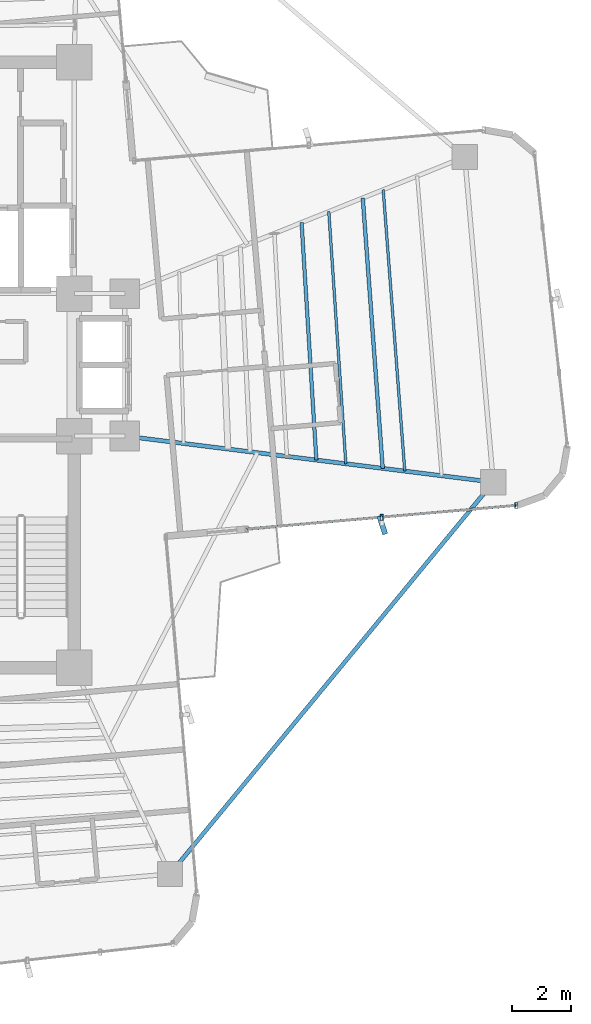
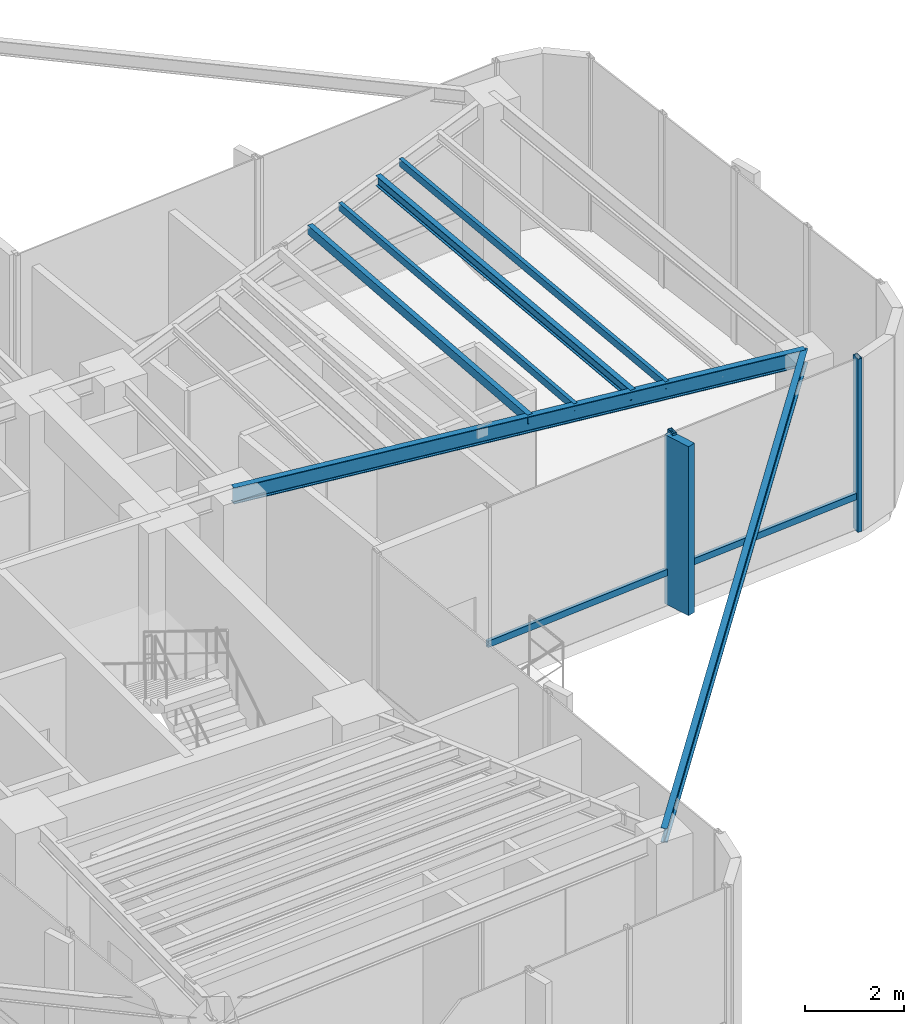
# One storey, part 8 of 19: 6 beams, 5 members, 1 element without a shape of its own.
"""IFC4 building model written with IfcOpenShell, lengths in metres."""

import ifcopenshell
import ifcopenshell.guid

model = None  # the IFC model being written
_history = None  # IfcOwnerHistory: only IFC2X3 demands one
_inside = {}  # id of a spatial element -> (the spatial element, [elements in it])
_under = {}  # id of a project, library or spatial element -> (it, [spatial elements below it])
_declared = {}  # id of a project -> (the project, [libraries it declares])
_typed = {}  # id of a type object -> (the type object, [elements of that type])
_made_of = {}  # id of a material, layer set ... -> (it, [elements and type objects made of it])


def new_model(schema):
    """Start an empty IFC model of exactly this schema.

    Asked for "IFC4X3", IfcOpenShell would pick the latest addendum, in which some entities
    have other attributes; the version numbers below select the first issue.
    IFC2X3 requires an IfcOwnerHistory on every rooted entity: one is made here for all.
    """
    global model, _history
    if schema == "IFC4X3":
        model = ifcopenshell.file(schema_version=(4, 3, 0, 0))
    else:
        model = ifcopenshell.file(schema=schema)
    _inside.clear()
    _under.clear()
    _declared.clear()
    _typed.clear()
    _made_of.clear()
    _history = None
    if model.schema == "IFC2X3":
        org = make("IfcOrganization", Name="unknown")
        user = make(
            "IfcPersonAndOrganization",
            ThePerson=make("IfcPerson", FamilyName="unknown"),
            TheOrganization=org,
        )
        app = make(
            "IfcApplication",
            ApplicationDeveloper=org,
            Version="unknown",
            ApplicationFullName="unknown",
            ApplicationIdentifier="unknown",
        )
        _history = make(
            "IfcOwnerHistory",
            OwningUser=user,
            OwningApplication=app,
            ChangeAction="ADDED",
            CreationDate=0,
        )
    return model


def make(cls, **values):
    """One entity of the class cls with the attributes given. An attribute that is None is left unset."""
    return model.create_entity(
        cls, **{name: value for name, value in values.items() if value is not None}
    )


def rooted(cls, **values):
    """An entity with a GlobalId (a new one), such as an element, a storey or a relation."""
    return make(cls, GlobalId=ifcopenshell.guid.new(), OwnerHistory=_history, **values)


def si_unit(unit_type, name, prefix=None):
    """IfcSIUnit, for example si_unit("LENGTHUNIT", "METRE", prefix="MILLI")."""
    return make("IfcSIUnit", UnitType=unit_type, Prefix=prefix, Name=name)


def assignment(units):
    """IfcUnitAssignment: the units of a project."""
    return None if units is None else make("IfcUnitAssignment", Units=units)


def point(xyz):
    """IfcCartesianPoint."""
    return None if xyz is None else make("IfcCartesianPoint", Coordinates=xyz)


def direction(xyz):
    """IfcDirection."""
    return None if xyz is None else make("IfcDirection", DirectionRatios=xyz)


def frame(location, z_axis=None, x_axis=None):
    """IfcAxis2Placement3D, a coordinate frame: its origin and axes. An axis left out is left unset."""
    return make(
        "IfcAxis2Placement3D",
        Location=point(location),
        Axis=direction(z_axis),
        RefDirection=direction(x_axis),
    )


def frame_2d(location, x_axis=None):
    """IfcAxis2Placement2D, a coordinate frame in the plane: its origin and x axis."""
    return make(
        "IfcAxis2Placement2D", Location=point(location), RefDirection=direction(x_axis)
    )


def origin():
    """The frame at (0, 0, 0) with its axes left unset."""
    return frame((0.0, 0.0, 0.0))


def origin_2d():
    """The frame at (0, 0) in the plane with its x axis left unset."""
    return frame_2d((0.0, 0.0))


def place(relative_to, where):
    """IfcLocalPlacement: puts the frame where relative to a parent placement (None: the world)."""
    return make(
        "IfcLocalPlacement", PlacementRelTo=relative_to, RelativePlacement=where
    )


def context(
    kind, dimensions, precision=None, world=None, true_north=None, identifier=None
):
    """IfcGeometricRepresentationContext, for example the 3D "Model" context."""
    return make(
        "IfcGeometricRepresentationContext",
        ContextIdentifier=identifier,
        ContextType=kind,
        CoordinateSpaceDimension=dimensions,
        Precision=precision,
        WorldCoordinateSystem=world,
        TrueNorth=true_north,
    )


def subcontext(parent, identifier, kind, view, scale=None):
    """IfcGeometricRepresentationSubContext, for example "Body" below "Model"."""
    return make(
        "IfcGeometricRepresentationSubContext",
        ContextIdentifier=identifier,
        ContextType=kind,
        ParentContext=parent,
        TargetScale=scale,
        TargetView=view,
    )


def project(units=None, contexts=None):
    """IfcProject with its units and contexts."""
    return rooted(
        "IfcProject",
        Name="project",
        RepresentationContexts=contexts,
        UnitsInContext=assignment(units),
    )


def spatial(cls, under=None, at=None, **own):
    """A site, building, storey or space (cls), placed at a placement, below another one or the project."""
    s = rooted(cls, ObjectPlacement=at, **own)
    if under is not None:
        _under.setdefault(under.id(), (under, []))[1].append(s)
    return s


def profile(cls, at=None, kind="AREA", **sizes):
    """A parametric profile (cls). Its sizes go by their IFC names, for example OverallWidth=200.0."""
    return make(cls, ProfileType=kind, Position=at, **sizes)


def rectangle(**sizes):
    """IfcRectangleProfileDef."""
    return profile("IfcRectangleProfileDef", **sizes)


def hollow_rectangle(**sizes):
    """IfcRectangleHollowProfileDef."""
    return profile("IfcRectangleHollowProfileDef", **sizes)


def i_section(**sizes):
    """IfcIShapeProfileDef."""
    return profile("IfcIShapeProfileDef", **sizes)


def extrude(swept, where, along, depth):
    """IfcExtrudedAreaSolid: the profile swept, set in the frame where, extruded along a direction by depth."""
    return make(
        "IfcExtrudedAreaSolid",
        SweptArea=swept,
        Position=where,
        ExtrudedDirection=direction(along),
        Depth=depth,
    )


def shape(context_of_items, identifier, shape_type, items):
    """IfcShapeRepresentation: the items that make up one representation, for example the "Body"."""
    return make(
        "IfcShapeRepresentation",
        ContextOfItems=context_of_items,
        RepresentationIdentifier=identifier,
        RepresentationType=shape_type,
        Items=items,
    )


def source(mapping_origin, context_of_items, identifier, shape_type, items):
    """IfcRepresentationMap: a shape defined once, which mapped items show again and again."""
    return make(
        "IfcRepresentationMap",
        MappingOrigin=mapping_origin,
        MappedRepresentation=shape(context_of_items, identifier, shape_type, items),
    )


def transform(
    local_origin,
    x_axis=None,
    y_axis=None,
    z_axis=None,
    scale=None,
    scale2=None,
    scale3=None,
    uniform=True,
):
    """IfcCartesianTransformationOperator3D, or its non-uniform kind. x_axis, y_axis, z_axis: its Axis1, 2, 3."""
    if uniform:
        return make(
            "IfcCartesianTransformationOperator3D",
            Axis1=direction(x_axis),
            Axis2=direction(y_axis),
            LocalOrigin=point(local_origin),
            Scale=scale,
            Axis3=direction(z_axis),
        )
    return make(
        "IfcCartesianTransformationOperator3DnonUniform",
        Axis1=direction(x_axis),
        Axis2=direction(y_axis),
        LocalOrigin=point(local_origin),
        Scale=scale,
        Axis3=direction(z_axis),
        Scale2=scale2,
        Scale3=scale3,
    )


def mapped(mapping_source, mapping_target):
    """IfcMappedItem: shows the shape of a source again, moved by a transform."""
    return make(
        "IfcMappedItem", MappingSource=mapping_source, MappingTarget=mapping_target
    )


def material(Name=None, Category=None):
    """IfcMaterial."""
    return make("IfcMaterial", Name=Name, Category=Category)


def material_profile(
    of_material, cross_section, Name=None, Category=None, Priority=None
):
    """IfcMaterialProfile: a cross section and its material."""
    return make(
        "IfcMaterialProfile",
        Name=Name,
        Material=of_material,
        Profile=cross_section,
        Priority=Priority,
        Category=Category,
    )


def profile_set(profiles, Name=None, composite=None):
    """IfcMaterialProfileSet."""
    return make(
        "IfcMaterialProfileSet",
        Name=Name,
        MaterialProfiles=profiles,
        CompositeProfile=composite,
    )


def made_of(thing, what):
    """Note that an element or type object is made of a material, layer set ...; save() writes the relation."""
    if what is not None:
        _made_of.setdefault(what.id(), (what, []))[1].append(thing)
    return thing


def type_object(cls, material=None, **own):
    """A type object (cls), such as IfcWallType, which elements share."""
    return made_of(rooted(cls, **own), material)


def element(
    cls,
    number,
    at=None,
    inside=None,
    cuts=None,
    type_object=None,
    material=None,
    context=None,
    identifier="Body",
    shape_type=None,
    held_by="IfcProductDefinitionShape",
    body=None,
    shapes=None,
    **own,
):
    """One element of the class cls, such as IfcWall. Its Tag is "e" and its number.

    at: its placement. inside: the storey or other place that contains it. cuts: it is an
    opening in that element (IfcRelVoidsElement). A single representation is given by context,
    identifier, shape_type and body (its items); several are given by shapes. held_by: the class
    of the entity that holds the representations. save() writes the other relations.
    """
    e = rooted(cls, Tag="e%d" % number, ObjectPlacement=at, **own)
    if body is not None:
        shapes = [shape(context, identifier, shape_type, body)]
    if shapes is not None:
        e.Representation = make(held_by, Representations=shapes)
    if inside is not None:
        _inside.setdefault(inside.id(), (inside, []))[1].append(e)
    if cuts is not None:
        rooted(
            "IfcRelVoidsElement", RelatingBuildingElement=cuts, RelatedOpeningElement=e
        )
    if type_object is not None:
        _typed.setdefault(type_object.id(), (type_object, []))[1].append(e)
    return made_of(e, material)


def aggregate(whole, parts):
    """IfcRelAggregates: a whole, such as a stair, and the parts it consists of."""
    return rooted("IfcRelAggregates", RelatingObject=whole, RelatedObjects=parts)


def save(model, path):
    """Write the relations noted so far, then the file.

    IfcRelAggregates (storeys below a building ...), IfcRelContainedInSpatialStructure (elements
    in a storey), IfcRelDefinesByType, IfcRelAssociatesMaterial and IfcRelDeclares: one each for
    every whole, place, type object, material and project.
    """
    for whole, parts in _under.values():
        aggregate(whole, parts)
    for where, things in _inside.values():
        rooted(
            "IfcRelContainedInSpatialStructure",
            RelatedElements=things,
            RelatingStructure=where,
        )
    for kind, things in _typed.values():
        rooted("IfcRelDefinesByType", RelatedObjects=things, RelatingType=kind)
    for what, things in _made_of.values():
        rooted("IfcRelAssociatesMaterial", RelatedObjects=things, RelatingMaterial=what)
    for by, libraries in _declared.values():
        rooted("IfcRelDeclares", RelatingContext=by, RelatedDefinitions=libraries)
    model.write(path)


model = new_model("IFC4")

# Units and contexts
model_context = context("Model", 3, precision=1e-05, world=origin(), true_north=direction((0.0, 1.0)))
body_context = subcontext(model_context, "Body", "Model", "MODEL_VIEW")
ifc_project = project(units=[si_unit("LENGTHUNIT", "METRE"), si_unit("AREAUNIT", "SQUARE_METRE"), si_unit("VOLUMEUNIT", "CUBIC_METRE"), si_unit("PLANEANGLEUNIT", "RADIAN"), si_unit("MASSUNIT", "GRAM", prefix="KILO")], contexts=[model_context])

# Site, building, storey
site_placement = place(None, origin())
site = spatial("IfcSite", under=ifc_project, at=site_placement, CompositionType="ELEMENT")
building_placement = place(site_placement, origin())
building = spatial("IfcBuilding", under=site, at=building_placement, Name="Sahyath Konkavel Grand Hotel", CompositionType="ELEMENT")
storey_placement = place(building_placement, frame((0.0, 0.0, 170.699951171875)))
storey = spatial("IfcBuildingStorey", under=building, at=storey_placement, Name="L47", CompositionType="ELEMENT", Elevation=170.699951171875)

# Beams
ifc_material_1 = material(Name="Steel E350", Category="steel")
ifc_material_profile_1 = material_profile(ifc_material_1, i_section(OverallWidth=0.139892578125, OverallDepth=0.39990234375, WebThickness=0.0087890625, FlangeThickness=0.01611328125, FilletRadius=0.013916015625, at=origin_2d()), Name="ISMB 400")
ifc_profile_set_1 = profile_set([ifc_material_profile_1], Name="Steel E350")
beam_type_1 = type_object("IfcBeamType", Name="BM-ISMB400", PredefinedType="BEAM", material=ifc_profile_set_1)
shared_shape_1 = source(origin(), body_context, "Body", "SweptSolid", [
    extrude(i_section(OverallWidth=0.139892578125, OverallDepth=0.39990234375, WebThickness=0.0087890625, FlangeThickness=0.01611328125, FilletRadius=0.013916015625, at=origin_2d()), origin(), (0.0, 0.0, 1.0), 12.509765625),
])
beam_1_placement = place(storey_placement, frame((5.5, -2.39990234375, 4.06005859375), z_axis=(0.992254740459, -0.124219684578, 0.0), x_axis=(0.124219684578, 0.992254740459, 0.0)))
element("IfcBeam", 1, at=beam_1_placement, inside=storey, type_object=beam_type_1, Name="L47 Cruciform Radial Girder EA", PredefinedType="BEAM", context=body_context, shape_type="MappedRepresentation", body=[
    mapped(shared_shape_1, transform((0.0, 0.0, 0.0), scale=1.0)),
])
ifc_material_profile_2 = material_profile(ifc_material_1, i_section(OverallWidth=0.139892578125, OverallDepth=0.35009765625, WebThickness=0.008056640625, FlangeThickness=0.01416015625, FilletRadius=0.013916015625, at=origin_2d()), Name="ISMB 350")
ifc_profile_set_2 = profile_set([ifc_material_profile_2], Name="Steel E350")
beam_type_2 = type_object("IfcBeamType", Name="BM-ISMB350", PredefinedType="BEAM", material=ifc_profile_set_2)
shared_shape_2 = source(origin(), body_context, "Body", "SweptSolid", [
    extrude(i_section(OverallWidth=0.139892578125, OverallDepth=0.35009765625, WebThickness=0.008056640625, FlangeThickness=0.01416015625, FilletRadius=0.013916015625, at=origin_2d()), origin(), (0.0, 0.0, 1.0), 17.112548828125),
])
beam_2_placement = place(storey_placement, frame((17.912841796875, -3.953857421875, 4.0849609375), z_axis=(-0.636437070092, -0.77132863023, 0.0), x_axis=(0.77132863023, -0.636437070092, 0.0)))
element("IfcBeam", 2, at=beam_2_placement, inside=storey, type_object=beam_type_2, Name="L47 Re-Entrant Tie Beam SE", PredefinedType="BEAM", context=body_context, shape_type="MappedRepresentation", body=[
    mapped(shared_shape_2, transform((0.0, 0.0, 0.0), scale=1.0)),
])
ifc_material_profile_3 = material_profile(ifc_material_1, hollow_rectangle(XDim=0.1201171875, YDim=0.219970703125, WallThickness=0.010009765625, at=origin_2d()), Name="RHS 220x120x10")
ifc_profile_set_3 = profile_set([ifc_material_profile_3], Name="Steel E350")
beam_type_3 = type_object("IfcBeamType", Name="BM-RHS220", PredefinedType="BEAM", material=ifc_profile_set_3)
shared_shape_3 = source(origin(), body_context, "Body", "SweptSolid", [
    extrude(hollow_rectangle(XDim=0.1201171875, YDim=0.219970703125, WallThickness=0.010009765625, at=origin_2d()), origin(), (0.0, 0.0, 1.0), 8.017822265625),
])
beam_3_placement = place(storey_placement, frame((11.95458984375, -3.2080078125, 4.150146484375), z_axis=(-0.062179233264, 0.998064999362, 0.0), x_axis=(-0.998064999362, -0.062179233264, 0.0)))
element("IfcBeam", 3, at=beam_3_placement, inside=storey, type_object=beam_type_3, Name="L47 Secondary Floor Beam E-2", PredefinedType="BEAM", context=body_context, shape_type="MappedRepresentation", body=[
    mapped(shared_shape_3, transform((0.0, 0.0, 0.0), scale=1.0)),
])
ifc_material_profile_4 = material_profile(ifc_material_1, hollow_rectangle(XDim=0.090087890625, YDim=0.179931640625, WallThickness=0.008056640625, at=origin_2d()), Name="RHS 180x90x8")
ifc_profile_set_4 = profile_set([ifc_material_profile_4], Name="Steel E350")
beam_type_4 = type_object("IfcBeamType", Name="BM-RHS180", PredefinedType="BEAM", material=ifc_profile_set_4)
shared_shape_4 = source(origin(), body_context, "Body", "SweptSolid", [
    extrude(hollow_rectangle(XDim=0.090087890625, YDim=0.179931640625, WallThickness=0.008056640625, at=origin_2d()), origin(), (0.0, 0.0, 1.0), 9.508056640625),
])
beam_4_placement = place(storey_placement, frame((14.93359375, -3.580810546875, 4.170166015625), z_axis=(-0.076619921029, 0.997060373148, 0.0), x_axis=(-0.997060373148, -0.076619921029, 0.0)))
element("IfcBeam", 4, at=beam_4_placement, inside=storey, type_object=beam_type_4, Name="L47 Secondary Floor Beam E-3", PredefinedType="BEAM", context=body_context, shape_type="MappedRepresentation", body=[
    mapped(shared_shape_4, transform((0.0, 0.0, 0.0), scale=1.0)),
])
shared_shape_5 = source(origin(), body_context, "Body", "SweptSolid", [
    extrude(hollow_rectangle(XDim=0.090087890625, YDim=0.179931640625, WallThickness=0.008056640625, at=origin_2d()), origin(), (0.0, 0.0, 1.0), 8.514404296875),
])
beam_5_placement = place(storey_placement, frame((12.94775390625, -3.332275390625, 4.170166015625), z_axis=(-0.067556190537, 0.997715471024, 0.0), x_axis=(-0.997715471024, -0.067556190537, 0.0)))
element("IfcBeam", 5, at=beam_5_placement, inside=storey, type_object=beam_type_4, Name="L47 Composite Deck Sub-Beam E-4", PredefinedType="BEAM", context=body_context, shape_type="MappedRepresentation", body=[
    mapped(shared_shape_5, transform((0.0, 0.0, 0.0), scale=1.0)),
])
ifc_material_profile_5 = material_profile(ifc_material_1, i_section(OverallWidth=0.125, OverallDepth=0.25, WebThickness=0.0068359375, FlangeThickness=0.012451171875, FilletRadius=0.012939453125, at=origin_2d()), Name="ISMB 250")
ifc_profile_set_5 = profile_set([ifc_material_profile_5], Name="Steel E350")
beam_type_5 = type_object("IfcBeamType", Name="BM-ISMB250", PredefinedType="BEAM", material=ifc_profile_set_5)
shared_shape_6 = source(origin(), body_context, "Body", "SweptSolid", [
    extrude(i_section(OverallWidth=0.125, OverallDepth=0.25, WebThickness=0.0068359375, FlangeThickness=0.012451171875, FilletRadius=0.012939453125, at=origin_2d()), origin(), (0.0, 0.0, 1.0), 9.135498046875),
])
beam_6_placement = place(storey_placement, frame((14.18896484375, -3.48779296875, 4.135009765625), z_axis=(-0.073465127158, 0.997297786567, 0.0), x_axis=(-0.997297786567, -0.073465127158, 0.0)))
element("IfcBeam", 6, at=beam_6_placement, inside=storey, type_object=beam_type_5, Name="L47 Composite Deck Sub-Beam E-5", PredefinedType="BEAM", context=body_context, shape_type="MappedRepresentation", body=[
    mapped(shared_shape_6, transform((0.0, 0.0, 0.0), scale=1.0)),
])

# Curtain wall, members
ifc_material_2 = material(Name="Anodised Bronze Aluminium & Low-E Glazing", Category="aluminium")
curtain_wall_type = type_object("IfcCurtainWallType", Name="CW-SKYLOBBY", PredefinedType="NOTDEFINED", material=ifc_material_2)
curtain_wall_placement = place(storey_placement, origin())
curtain_wall = element("IfcCurtainWall", 7, at=curtain_wall_placement, inside=storey, type_object=curtain_wall_type, Name="L47 Unitised Curtain Wall F0", PredefinedType="NOTDEFINED")
ifc_material_3 = material(Name="Anodised Bronze Aluminium", Category="aluminium")
ifc_material_profile_6 = material_profile(ifc_material_3, hollow_rectangle(XDim=0.10009765625, YDim=0.199951171875, WallThickness=0.008056640625, at=origin_2d()), Name="RHS 200x100x8")
ifc_profile_set_6 = profile_set([ifc_material_profile_6], Name="Anodised Bronze Aluminium")
member_type_1 = type_object("IfcMemberType", Name="CW-MUL-200", PredefinedType="MULLION", material=ifc_profile_set_6)
shared_shape_7 = source(origin(), body_context, "Body", "SweptSolid", [
    extrude(hollow_rectangle(XDim=0.10009765625, YDim=0.199951171875, WallThickness=0.008056640625, at=origin_2d()), origin(), (0.0, 0.0, 1.0), 4.260009765625),
])
member_1_placement = place(storey_placement, frame((14.151611328125, -5.135986328125, 0.0), z_axis=(0.0, 0.0, 1.0), x_axis=(1.0, 0.0, 0.0)))
member_1 = element("IfcMember", 8, at=member_1_placement, type_object=member_type_1, Name="L47 Curtain Wall Mullion F0-1", PredefinedType="MULLION", context=body_context, shape_type="MappedRepresentation", body=[
    mapped(shared_shape_7, transform((0.0, 0.0, 0.0), scale=1.0)),
])
member_2_placement = place(storey_placement, frame((18.694091796875, -4.73876953125, 0.0), z_axis=(0.0, 0.0, 1.0), x_axis=(1.0, 0.0, 0.0)))
member_2 = element("IfcMember", 9, at=member_2_placement, type_object=member_type_1, Name="L47 Curtain Wall Mullion F0-2", PredefinedType="MULLION", context=body_context, shape_type="MappedRepresentation", body=[
    mapped(shared_shape_7, transform((0.0, 0.0, 0.0), scale=1.0)),
])
ifc_material_4 = material(Name="Warm Buff Sandstone Cladding on Concrete C50/60", Category="masonry")
ifc_material_profile_7 = material_profile(ifc_material_4, rectangle(XDim=0.179931640625, YDim=0.64990234375, at=origin_2d()), Name="FIN 180x650")
ifc_profile_set_7 = profile_set([ifc_material_profile_7], Name="Warm Buff Sandstone Cladding on Concrete C50/60")
member_type_2 = type_object("IfcMemberType", Name="FIN-SANDSTONE-650", PredefinedType="MULLION", material=ifc_profile_set_7)
shared_shape_8 = source(origin(), body_context, "Body", "SweptSolid", [
    extrude(rectangle(XDim=0.179931640625, YDim=0.64990234375, at=origin_2d()), origin(), (0.0, 0.0, 1.0), 4.159912109375),
])
member_3_placement = place(storey_placement, frame((14.17431640625, -5.39501953125, 0.050048828125), z_axis=(0.0, 0.0, 1.0), x_axis=(0.951808747363, 0.306692204733, 0.0)))
member_3 = element("IfcMember", 10, at=member_3_placement, type_object=member_type_2, Name="L47 Sandstone Vertical Solar Fin FIN F0-1", PredefinedType="MULLION", context=body_context, shape_type="MappedRepresentation", body=[
    mapped(shared_shape_8, transform((0.0, 0.0, 0.0), scale=1.0)),
])
ifc_material_profile_8 = material_profile(ifc_material_3, hollow_rectangle(XDim=0.080078125, YDim=0.159912109375, WallThickness=0.006103515625, at=origin_2d()), Name="RHS 160x80x6")
ifc_profile_set_8 = profile_set([ifc_material_profile_8], Name="Anodised Bronze Aluminium")
member_type_3 = type_object("IfcMemberType", Name="CW-TRN-160", PredefinedType="USERDEFINED", material=ifc_profile_set_8)
shared_shape_9 = source(origin(), body_context, "Body", "SweptSolid", [
    extrude(hollow_rectangle(XDim=0.080078125, YDim=0.159912109375, WallThickness=0.006103515625, at=origin_2d()), origin(), (0.0, 0.0, 1.0), 4.56005859375),
])
member_4_placement = place(storey_placement, frame((9.60888671875, -5.53369140625, 0.85009765625), z_axis=(0.996189590376, 0.087214104516, 0.0), x_axis=(-0.087214104516, 0.996189590376, 0.0)))
member_4 = element("IfcMember", 11, at=member_4_placement, type_object=member_type_3, Name="L47 Curtain Wall Transom F0-0-spandrel", ObjectType="TRANSOM", PredefinedType="USERDEFINED", context=body_context, shape_type="MappedRepresentation", body=[
    mapped(shared_shape_9, transform((0.0, 0.0, 0.0), scale=1.0)),
])
shared_shape_10 = source(origin(), body_context, "Body", "SweptSolid", [
    extrude(hollow_rectangle(XDim=0.080078125, YDim=0.159912109375, WallThickness=0.006103515625, at=origin_2d()), origin(), (0.0, 0.0, 1.0), 4.559814453125),
])
member_5_placement = place(storey_placement, frame((14.151611328125, -5.135986328125, 0.85009765625), z_axis=(0.99619848155, 0.087112486804, 0.0), x_axis=(-0.087112486804, 0.99619848155, 0.0)))
member_5 = element("IfcMember", 12, at=member_5_placement, type_object=member_type_3, Name="L47 Curtain Wall Transom F0-1-spandrel", ObjectType="TRANSOM", PredefinedType="USERDEFINED", context=body_context, shape_type="MappedRepresentation", body=[
    mapped(shared_shape_10, transform((0.0, 0.0, 0.0), scale=1.0)),
])
aggregate(curtain_wall, [member_1, member_3, member_2, member_4, member_5])

save(model, "model.ifc")
